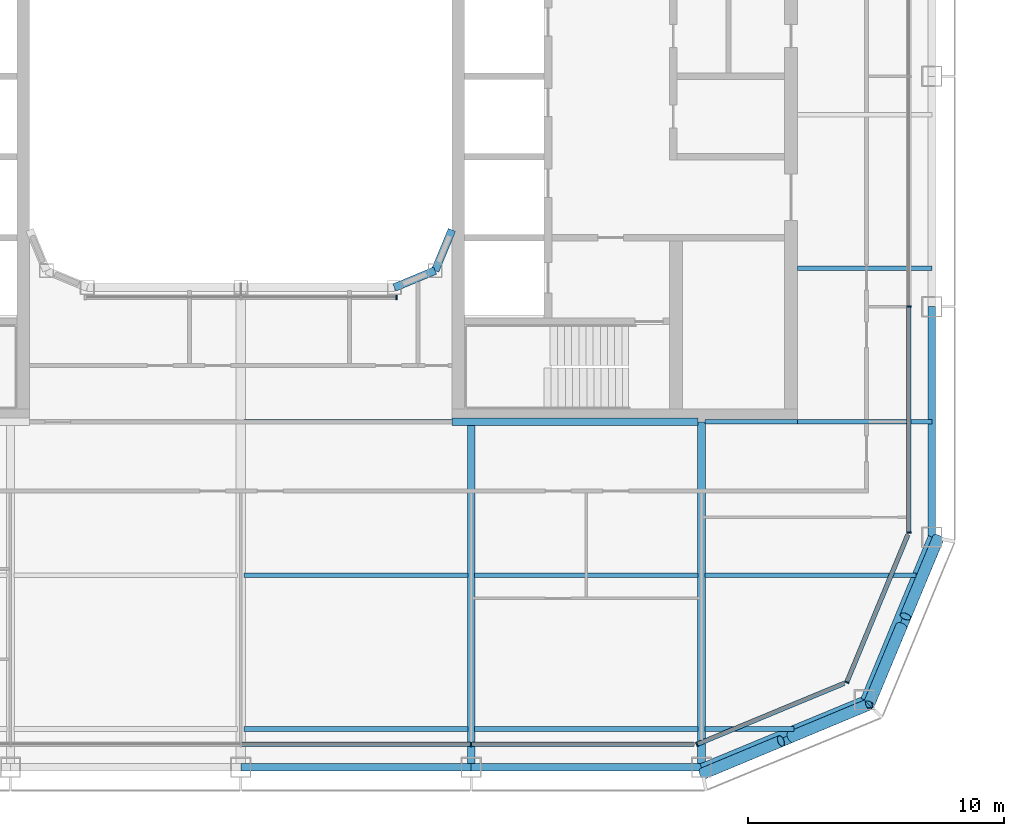
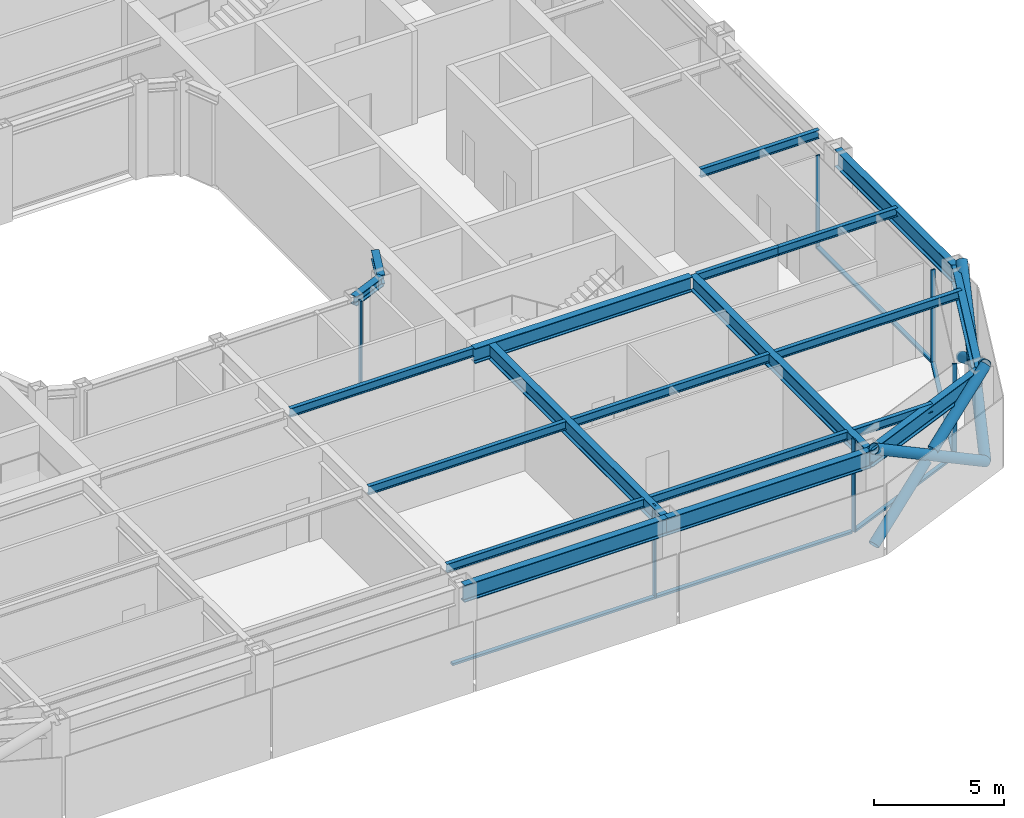
# One storey, part 4 of 23: 20 beams, 17 members, 5 elements without a shape of their own.
"""IFC4 building model written with IfcOpenShell, lengths in metres."""

from ifc_helpers import new_model, si_unit, direction, frame, origin, origin_2d, place, context, subcontext, project, spatial, rectangle, hollow_circle, i_section, extrude, material, layer, layer_set, material_profile, profile_set, type_object, element, aggregate, save


model = new_model("IFC4")

# Units and contexts
model_context = context("Model", 3, precision=1e-05, world=origin(), true_north=direction((0.0, 1.0)))
body_context = subcontext(model_context, "Body", "Model", "MODEL_VIEW")
ifc_project = project(units=[si_unit("LENGTHUNIT", "METRE"), si_unit("AREAUNIT", "SQUARE_METRE"), si_unit("VOLUMEUNIT", "CUBIC_METRE"), si_unit("PLANEANGLEUNIT", "RADIAN"), si_unit("MASSUNIT", "GRAM", prefix="KILO")], contexts=[model_context])

# Site, building, storey
site_placement = place(None, origin())
site = spatial("IfcSite", under=ifc_project, at=site_placement, CompositionType="ELEMENT")
building_placement = place(site_placement, origin())
building = spatial("IfcBuilding", under=site, at=building_placement, Name="Siwar Civic Tower", CompositionType="ELEMENT")
storey_placement = place(building_placement, frame((0.0, 0.0, 260.199951171875)))
storey = spatial("IfcBuildingStorey", under=building, at=storey_placement, Name="L56", CompositionType="ELEMENT", Elevation=260.199951171875)

# Curtain wall, member
ifc_material_1 = material(Name="Aluminium and glass", Category="aluminium")
ifc_layer_1 = layer(ifc_material_1, 0.179931640625)
ifc_layer_set_1 = layer_set([ifc_layer_1], Name="Aluminium and glass")
curtain_wall_type_1 = type_object("IfcCurtainWallType", Name="ENV-CW-C", PredefinedType="NOTDEFINED", material=ifc_layer_set_1)
curtain_wall_1_placement = place(storey_placement, origin())
curtain_wall_1 = element("IfcCurtainWall", 1, at=curtain_wall_1_placement, inside=storey, type_object=curtain_wall_type_1, Name="Curtain wall C S", PredefinedType="NOTDEFINED")
ifc_material_2 = material(Name="Aluminium 6063-T6", Category="aluminium")
ifc_material_profile_1 = material_profile(ifc_material_2, rectangle(XDim=0.179931640625, YDim=0.06005859375, at=origin_2d()), Name="AL 180x60")
ifc_profile_set_1 = profile_set([ifc_material_profile_1], Name="Aluminium 6063-T6")
member_type_1 = type_object("IfcMemberType", Name="ENV-MULLION-C", PredefinedType="MULLION", material=ifc_profile_set_1)
member_1_placement = place(storey_placement, frame((9.0, -26.10009765625, 0.0), z_axis=(0.0, 0.0, 1.0), x_axis=(0.0, 1.0, 0.0)))
member_1 = element("IfcMember", 2, at=member_1_placement, type_object=member_type_1, Name="Mullion C S 4", PredefinedType="MULLION", context=body_context, shape_type="SweptSolid", body=[
    extrude(rectangle(XDim=0.179931640625, YDim=0.06005859375, at=origin_2d()), origin(), (0.0, 0.0, 1.0), 4.35009765625),
])

ifc_material_3 = material(Name="Aluminium clad insulated panel", Category="aluminium")
ifc_layer_2 = layer(ifc_material_3, 0.179931640625)
ifc_layer_set_2 = layer_set([ifc_layer_2], Name="Aluminium clad insulated panel")
curtain_wall_type_2 = type_object("IfcCurtainWallType", Name="ENV-CW-CX", PredefinedType="NOTDEFINED", material=ifc_layer_set_2)
curtain_wall_2_placement = place(storey_placement, origin())
curtain_wall_2 = element("IfcCurtainWall", 3, at=curtain_wall_2_placement, inside=storey, type_object=curtain_wall_type_2, Name="Curtain wall C SE1", PredefinedType="NOTDEFINED")
member_2_placement = place(storey_placement, frame((17.821044921875, -26.10009765625, 0.0), z_axis=(0.0, 0.0, 1.0), x_axis=(-0.382683432365, 0.923879532511, 0.0)))
member_2 = element("IfcMember", 4, at=member_2_placement, type_object=member_type_1, Name="Mullion C SE1 1", PredefinedType="MULLION", context=body_context, shape_type="SweptSolid", body=[
    extrude(rectangle(XDim=0.179931640625, YDim=0.06005859375, at=origin_2d()), origin(), (0.0, 0.0, 1.0), 4.35009765625),
])

curtain_wall_3_placement = place(storey_placement, origin())
curtain_wall_3 = element("IfcCurtainWall", 5, at=curtain_wall_3_placement, inside=storey, type_object=curtain_wall_type_2, Name="Curtain wall C SE2", PredefinedType="NOTDEFINED")
member_3_placement = place(storey_placement, frame((23.675048828125, -23.675048828125, 0.0), z_axis=(0.0, 0.0, 1.0), x_axis=(-0.923879532511, 0.382683432365, 0.0)))
member_3 = element("IfcMember", 6, at=member_3_placement, type_object=member_type_1, Name="Mullion C SE2 1", PredefinedType="MULLION", context=body_context, shape_type="SweptSolid", body=[
    extrude(rectangle(XDim=0.179931640625, YDim=0.06005859375, at=origin_2d()), origin(), (0.0, 0.0, 1.0), 4.35009765625),
])

# Curtain wall, members
curtain_wall_4_placement = place(storey_placement, origin())
curtain_wall_4 = element("IfcCurtainWall", 7, at=curtain_wall_4_placement, inside=storey, type_object=curtain_wall_type_1, Name="Curtain wall C E", PredefinedType="NOTDEFINED")
member_4_placement = place(storey_placement, frame((26.10009765625, -17.821044921875, 0.0), z_axis=(0.0, 0.0, 1.0), x_axis=(-1.0, 0.0, 0.0)))
member_4 = element("IfcMember", 8, at=member_4_placement, type_object=member_type_1, Name="Mullion C E 1", PredefinedType="MULLION", context=body_context, shape_type="SweptSolid", body=[
    extrude(rectangle(XDim=0.179931640625, YDim=0.06005859375, at=origin_2d()), origin(), (0.0, 0.0, 1.0), 4.35009765625),
])
member_5_placement = place(storey_placement, frame((26.10009765625, -9.0, 0.0), z_axis=(0.0, 0.0, 1.0), x_axis=(-1.0, 0.0, 0.0)))
member_5 = element("IfcMember", 9, at=member_5_placement, type_object=member_type_1, Name="Mullion C E 2", PredefinedType="MULLION", context=body_context, shape_type="SweptSolid", body=[
    extrude(rectangle(XDim=0.179931640625, YDim=0.06005859375, at=origin_2d()), origin(), (0.0, 0.0, 1.0), 4.35009765625),
])

# Curtain wall, member
ifc_material_4 = material(Name="Aluminium and glass", Category="aluminium")
ifc_layer_3 = layer(ifc_material_4, 0.179931640625)
ifc_layer_set_3 = layer_set([ifc_layer_3], Name="Aluminium and glass")
curtain_wall_type_3 = type_object("IfcCurtainWallType", Name="ENV-CW-W", PredefinedType="NOTDEFINED", material=ifc_layer_set_3)
curtain_wall_5_placement = place(storey_placement, origin())
curtain_wall_5 = element("IfcCurtainWall", 10, at=curtain_wall_5_placement, inside=storey, type_object=curtain_wall_type_3, Name="Curtain wall W WS", PredefinedType="NOTDEFINED")
ifc_material_5 = material(Name="Aluminium 6063-T6", Category="aluminium")
ifc_material_profile_2 = material_profile(ifc_material_5, rectangle(XDim=0.179931640625, YDim=0.06005859375, at=origin_2d()), Name="AL 180x60")
ifc_profile_set_2 = profile_set([ifc_material_profile_2], Name="Aluminium 6063-T6")
member_type_2 = type_object("IfcMemberType", Name="ENV-MULLION-W", PredefinedType="MULLION", material=ifc_profile_set_2)
member_6_placement = place(storey_placement, frame((6.07666015625, -8.635009765625, 0.0), z_axis=(0.0, 0.0, 1.0), x_axis=(0.0, 1.0, 0.0)))
member_6 = element("IfcMember", 11, at=member_6_placement, type_object=member_type_2, Name="Mullion W WS 3", PredefinedType="MULLION", context=body_context, shape_type="SweptSolid", body=[
    extrude(rectangle(XDim=0.179931640625, YDim=0.06005859375, at=origin_2d()), origin(), (0.0, 0.0, 1.0), 4.35009765625),
])
aggregate(curtain_wall_5, [member_6])

# Member
ifc_material_6 = material(Name="Aluminium 6063-T6", Category="aluminium")
ifc_material_profile_3 = material_profile(ifc_material_6, rectangle(XDim=0.179931640625, YDim=0.10009765625, at=origin_2d()), Name="AL 180x100")
ifc_profile_set_3 = profile_set([ifc_material_profile_3], Name="Aluminium 6063-T6")
member_type_3 = type_object("IfcMemberType", Name="ENV-TRANSOM-C", PredefinedType="USERDEFINED", material=ifc_profile_set_3)
member_7_placement = place(storey_placement, frame((0.030029296875, -26.10009765625, 0.050048828125), z_axis=(1.0, 0.0, 0.0), x_axis=(0.0, 1.0, 0.0)))
member_7 = element("IfcMember", 12, at=member_7_placement, type_object=member_type_3, Name="Transom C S 3", ObjectType="TRANSOM", PredefinedType="USERDEFINED", context=body_context, shape_type="SweptSolid", body=[
    extrude(rectangle(XDim=0.179931640625, YDim=0.10009765625, at=origin_2d()), origin(), (0.0, 0.0, 1.0), 8.93994140625),
])

member_8_placement = place(storey_placement, frame((9.030029296875, -26.10009765625, 0.050048828125), z_axis=(1.0, 0.0, 0.0), x_axis=(0.0, 1.0, 0.0)))
member_8 = element("IfcMember", 13, at=member_8_placement, type_object=member_type_3, Name="Transom C S 4", ObjectType="TRANSOM", PredefinedType="USERDEFINED", context=body_context, shape_type="SweptSolid", body=[
    extrude(rectangle(XDim=0.179931640625, YDim=0.10009765625, at=origin_2d()), origin(), (0.0, 0.0, 1.0), 8.68603515625),
])

aggregate(curtain_wall_1, [member_1, member_7, member_8])

member_9_placement = place(storey_placement, frame((17.8486328125, -26.088623046875, 0.050048828125), z_axis=(0.923882011223, 0.38267744817, 0.0), x_axis=(-0.38267744817, 0.923882011223, 0.0)))
member_9 = element("IfcMember", 14, at=member_9_placement, type_object=member_type_3, Name="Transom C SE1 1", ObjectType="TRANSOM", PredefinedType="USERDEFINED", context=body_context, shape_type="SweptSolid", body=[
    extrude(rectangle(XDim=0.179931640625, YDim=0.10009765625, at=origin_2d()), origin(), (0.0, 0.0, 1.0), 6.201904296875),
])

aggregate(curtain_wall_2, [member_2, member_9])

member_10_placement = place(storey_placement, frame((23.6865234375, -23.6474609375, 0.050048828125), z_axis=(0.382691366456, 0.923876246063, 0.0), x_axis=(-0.923876246063, 0.382691366456, 0.0)))
member_10 = element("IfcMember", 15, at=member_10_placement, type_object=member_type_3, Name="Transom C SE2 1", ObjectType="TRANSOM", PredefinedType="USERDEFINED", context=body_context, shape_type="SweptSolid", body=[
    extrude(rectangle(XDim=0.179931640625, YDim=0.10009765625, at=origin_2d()), origin(), (0.0, 0.0, 1.0), 6.20166015625),
])

aggregate(curtain_wall_3, [member_3, member_10])

member_11_placement = place(storey_placement, frame((26.10009765625, -17.791015625, 0.050048828125), z_axis=(0.0, 1.0, 0.0), x_axis=(-1.0, 0.0, 0.0)))
member_11 = element("IfcMember", 16, at=member_11_placement, type_object=member_type_3, Name="Transom C E 1", ObjectType="TRANSOM", PredefinedType="USERDEFINED", context=body_context, shape_type="SweptSolid", body=[
    extrude(rectangle(XDim=0.179931640625, YDim=0.10009765625, at=origin_2d()), origin(), (0.0, 0.0, 1.0), 8.760986328125),
])

aggregate(curtain_wall_4, [member_4, member_5, member_11])

# Members
ifc_material_7 = material(Name="Steel S355", Category="steel")
ifc_material_profile_4 = material_profile(ifc_material_7, hollow_circle(Radius=0.228515625, WallThickness=0.02001953125, at=origin_2d()), Name="CHS457x20")
ifc_profile_set_4 = profile_set([ifc_material_profile_4], Name="Steel S355")
member_type_4 = type_object("IfcMemberType", Name="STR-BR-CHS457x20", PredefinedType="BRACE", material=ifc_profile_set_4)
member_12_placement = place(storey_placement, frame((24.540771484375, -24.540771484375, 0.0), z_axis=(0.323905527954, 0.777554562952, 0.538975055633), x_axis=(-0.923108759191, 0.384538969033, 0.0)))
element("IfcMember", 17, at=member_12_placement, inside=storey, type_object=member_type_4, Name="L56/brc/CSE1-16-0-1", PredefinedType="BRACE", context=body_context, shape_type="SweptSolid", body=[
    extrude(hollow_circle(Radius=0.228515625, WallThickness=0.02001953125, at=origin_2d()), origin(), (0.0, 0.0, 1.0), 8.34912109375),
])
for number, where, z_axis, x_axis, name in (
    (18, (27.2451171875, -18.048828125, 0.0), (-0.323884455881, -0.777546448489, 0.538999424564), (0.92311621485, -0.38452107079, 0.0), "L56/brc/CSE1-16-0-2"),
    (19, (25.81298828125, -21.486572265625, 2.383056640625), (-0.323895306243, -0.777572496853, 0.538955325357), (0.92311621485, -0.38452107079, 0.0), "L56/brc/CSE1-16-0-3"),
):
    element("IfcMember", number, at=place(storey_placement, frame(where, z_axis=z_axis, x_axis=x_axis)), inside=storey, type_object=member_type_4, Name=name, PredefinedType="BRACE", context=body_context, shape_type="SweptSolid", body=[
        extrude(hollow_circle(Radius=0.228515625, WallThickness=0.02001953125, at=origin_2d()), origin(), (0.0, 0.0, 1.0), 3.927978515625),
    ])
member_13_placement = place(storey_placement, frame((24.540771484375, -24.540771484375, 0.0), z_axis=(-0.777554562952, -0.323905527954, 0.538975055633), x_axis=(0.384538969033, -0.923108759191, 0.0)))
element("IfcMember", 20, at=member_13_placement, inside=storey, type_object=member_type_4, Name="L56/brc/CSE1-16-0-0", PredefinedType="BRACE", context=body_context, shape_type="SweptSolid", body=[
    extrude(hollow_circle(Radius=0.228515625, WallThickness=0.02001953125, at=origin_2d()), origin(), (0.0, 0.0, 1.0), 8.34912109375),
])
for number, where, z_axis, x_axis, name in (
    (21, (18.048828125, -27.2451171875, 0.0), (0.777546448489, 0.323884455881, 0.538999424564), (-0.38452107079, 0.92311621485, 0.0), "L56/brc/CSE1-16-0-4"),
    (22, (21.486572265625, -25.81298828125, 2.383056640625), (0.777572496853, 0.323895306243, 0.538955325357), (-0.38452107079, 0.92311621485, 0.0), "L56/brc/CSE1-16-0-5"),
):
    element("IfcMember", number, at=place(storey_placement, frame(where, z_axis=z_axis, x_axis=x_axis)), inside=storey, type_object=member_type_4, Name=name, PredefinedType="BRACE", context=body_context, shape_type="SweptSolid", body=[
        extrude(hollow_circle(Radius=0.228515625, WallThickness=0.02001953125, at=origin_2d()), origin(), (0.0, 0.0, 1.0), 3.927978515625),
    ])

# Beams
ifc_material_8 = material(Name="Steel S355", Category="steel")
ifc_material_profile_5 = material_profile(ifc_material_8, i_section(OverallWidth=0.179931640625, OverallDepth=0.39990234375, WebThickness=0.008544921875, FlangeThickness=0.013427734375, FilletRadius=0.02099609375, at=origin_2d()), Name="IPE400")
ifc_profile_set_5 = profile_set([ifc_material_profile_5], Name="Steel S355")
beam_type_1 = type_object("IfcBeamType", Name="STR-FB-IPE400", PredefinedType="JOIST", material=ifc_profile_set_5)
for number, where, z_axis, x_axis, name in (
    (23, (0.1298828125, -25.5, 4.150146484375), (1.0, 0.0, 0.0), (0.0, 1.0, 0.0), "L56/bm/F004"),
    (24, (9.1298828125, -25.5, 4.150146484375), (1.0, 0.0, 0.0), (0.0, 1.0, 0.0), "L56/bm/F005"),
):
    element("IfcBeam", number, at=place(storey_placement, frame(where, z_axis=z_axis, x_axis=x_axis)), inside=storey, type_object=beam_type_1, Name=name, PredefinedType="JOIST", context=body_context, shape_type="SweptSolid", body=[
        extrude(i_section(OverallWidth=0.179931640625, OverallDepth=0.39990234375, WebThickness=0.008544921875, FlangeThickness=0.013427734375, FilletRadius=0.02099609375, at=origin_2d()), origin(), (0.0, 0.0, 1.0), 8.740234375),
    ])
beam_1_placement = place(storey_placement, frame((18.1298828125, -25.5, 4.150146484375), z_axis=(1.0, 0.0, 0.0), x_axis=(0.0, 1.0, 0.0)))
element("IfcBeam", 25, at=beam_1_placement, inside=storey, type_object=beam_type_1, Name="L56/bm/F006", PredefinedType="JOIST", context=body_context, shape_type="SweptSolid", body=[
    extrude(i_section(OverallWidth=0.179931640625, OverallDepth=0.39990234375, WebThickness=0.008544921875, FlangeThickness=0.013427734375, FilletRadius=0.02099609375, at=origin_2d()), origin(), (0.0, 0.0, 1.0), 3.491455078125),
])
for number, where, z_axis, x_axis, name in (
    (26, (0.1298828125, -19.5, 4.150146484375), (1.0, 0.0, 0.0), (0.0, 1.0, 0.0), "L56/bm/F010"),
    (27, (9.1298828125, -19.5, 4.150146484375), (1.0, 0.0, 0.0), (0.0, 1.0, 0.0), "L56/bm/F011"),
):
    element("IfcBeam", number, at=place(storey_placement, frame(where, z_axis=z_axis, x_axis=x_axis)), inside=storey, type_object=beam_type_1, Name=name, PredefinedType="JOIST", context=body_context, shape_type="SweptSolid", body=[
        extrude(i_section(OverallWidth=0.179931640625, OverallDepth=0.39990234375, WebThickness=0.008544921875, FlangeThickness=0.013427734375, FilletRadius=0.02099609375, at=origin_2d()), origin(), (0.0, 0.0, 1.0), 8.740234375),
    ])
beam_2_placement = place(storey_placement, frame((18.1298828125, -19.5, 4.150146484375), z_axis=(1.0, 0.0, 0.0), x_axis=(0.0, 1.0, 0.0)))
element("IfcBeam", 28, at=beam_2_placement, inside=storey, type_object=beam_type_1, Name="L56/bm/F012", PredefinedType="JOIST", context=body_context, shape_type="SweptSolid", body=[
    extrude(i_section(OverallWidth=0.179931640625, OverallDepth=0.39990234375, WebThickness=0.008544921875, FlangeThickness=0.013427734375, FilletRadius=0.02099609375, at=origin_2d()), origin(), (0.0, 0.0, 1.0), 8.248779296875),
])
beam_3_placement = place(storey_placement, frame((0.1298828125, -13.5, 4.150146484375), z_axis=(1.0, 0.0, 0.0), x_axis=(0.0, 1.0, 0.0)))
element("IfcBeam", 29, at=beam_3_placement, inside=storey, type_object=beam_type_1, Name="L56/bm/F017", PredefinedType="JOIST", context=body_context, shape_type="SweptSolid", body=[
    extrude(i_section(OverallWidth=0.179931640625, OverallDepth=0.39990234375, WebThickness=0.008544921875, FlangeThickness=0.013427734375, FilletRadius=0.02099609375, at=origin_2d()), origin(), (0.0, 0.0, 1.0), 8.1201171875),
])
beam_4_placement = place(storey_placement, frame((18.1298828125, -13.5, 4.150146484375), z_axis=(1.0, 0.0, 0.0), x_axis=(0.0, 1.0, 0.0)))
element("IfcBeam", 30, at=beam_4_placement, inside=storey, type_object=beam_type_1, Name="L56/bm/F019", PredefinedType="JOIST", context=body_context, shape_type="SweptSolid", body=[
    extrude(i_section(OverallWidth=0.179931640625, OverallDepth=0.39990234375, WebThickness=0.008544921875, FlangeThickness=0.013427734375, FilletRadius=0.02099609375, at=origin_2d()), origin(), (0.0, 0.0, 1.0), 3.6201171875),
])
for number, where, z_axis, x_axis, name in (
    (31, (21.75, -13.5, 4.150146484375), (1.0, 0.0, 0.0), (0.0, 1.0, 0.0), "L56/bm/F020"),
    (32, (21.75, -7.5, 4.150146484375), (1.0, 0.0, 0.0), (0.0, 1.0, 0.0), "L56/bm/F022"),
):
    element("IfcBeam", number, at=place(storey_placement, frame(where, z_axis=z_axis, x_axis=x_axis)), inside=storey, type_object=beam_type_1, Name=name, PredefinedType="JOIST", context=body_context, shape_type="SweptSolid", body=[
        extrude(i_section(OverallWidth=0.179931640625, OverallDepth=0.39990234375, WebThickness=0.008544921875, FlangeThickness=0.013427734375, FilletRadius=0.02099609375, at=origin_2d()), origin(), (0.0, 0.0, 1.0), 5.25),
    ])
ifc_material_9 = material(Name="Steel S355", Category="steel")
ifc_material_profile_6 = material_profile(ifc_material_9, i_section(OverallWidth=0.300048828125, OverallDepth=0.699951171875, WebThickness=0.01708984375, FlangeThickness=0.031982421875, FilletRadius=0.027099609375, at=origin_2d()), Name="HEB700")
ifc_profile_set_6 = profile_set([ifc_material_profile_6], Name="Steel S355")
beam_type_2 = type_object("IfcBeamType", Name="STR-PG-HEB700", PredefinedType="BEAM", material=ifc_profile_set_6)
for number, where, z_axis, x_axis, name in (
    (33, (9.0, -27.0, 4.0), (0.0, 1.0, 0.0), (-1.0, 0.0, 0.0), "L56/bm/G07"),
    (34, (18.0, -27.0, 4.0), (0.0, 1.0, 0.0), (-1.0, 0.0, 0.0), "L56/bm/G09"),
):
    element("IfcBeam", number, at=place(storey_placement, frame(where, z_axis=z_axis, x_axis=x_axis)), inside=storey, type_object=beam_type_2, Name=name, PredefinedType="BEAM", context=body_context, shape_type="SweptSolid", body=[
        extrude(i_section(OverallWidth=0.300048828125, OverallDepth=0.699951171875, WebThickness=0.01708984375, FlangeThickness=0.031982421875, FilletRadius=0.027099609375, at=origin_2d()), origin(), (0.0, 0.0, 1.0), 13.5),
    ])
beam_5_placement = place(storey_placement, frame((8.25, -13.5, 4.0), z_axis=(1.0, 0.0, 0.0), x_axis=(0.0, 1.0, 0.0)))
element("IfcBeam", 35, at=beam_5_placement, inside=storey, type_object=beam_type_2, Name="L56/bm/F018", PredefinedType="BEAM", context=body_context, shape_type="SweptSolid", body=[
    extrude(i_section(OverallWidth=0.300048828125, OverallDepth=0.699951171875, WebThickness=0.01708984375, FlangeThickness=0.031982421875, FilletRadius=0.027099609375, at=origin_2d()), origin(), (0.0, 0.0, 1.0), 9.6201171875),
])
ifc_material_10 = material(Name="Steel S355", Category="steel")
ifc_material_profile_7 = material_profile(ifc_material_10, i_section(OverallWidth=0.306884765625, OverallDepth=0.431884765625, WebThickness=0.02099609375, FlangeThickness=0.0400390625, FilletRadius=0.027099609375, at=origin_2d()), Name="HEM400")
ifc_profile_set_7 = profile_set([ifc_material_profile_7], Name="Steel S355")
beam_type_3 = type_object("IfcBeamType", Name="STR-RB-HEM400", PredefinedType="BEAM", material=ifc_profile_set_7)
for number, where, z_axis, x_axis, name in (
    (36, (6.0, -8.25, 4.134033203125), (0.923901072997, 0.382631424892, 0.0), (-0.382631424892, 0.923901072997, 0.0), "L56/bm/RS3"),
    (37, (7.591064453125, -7.591064453125, 4.134033203125), (0.382631424892, 0.923901072997, 0.0), (-0.923901072997, 0.382631424892, 0.0), "L56/bm/RSEE"),
):
    element("IfcBeam", number, at=place(storey_placement, frame(where, z_axis=z_axis, x_axis=x_axis)), inside=storey, type_object=beam_type_3, Name=name, PredefinedType="BEAM", context=body_context, shape_type="SweptSolid", body=[
        extrude(i_section(OverallWidth=0.306884765625, OverallDepth=0.431884765625, WebThickness=0.02099609375, FlangeThickness=0.0400390625, FilletRadius=0.027099609375, at=origin_2d()), origin(), (0.0, 0.0, 1.0), 1.72216796875),
    ])
ifc_material_11 = material(Name="Steel S355", Category="steel")
ifc_material_profile_8 = material_profile(ifc_material_11, i_section(OverallWidth=0.300048828125, OverallDepth=0.800048828125, WebThickness=0.017578125, FlangeThickness=0.032958984375, FilletRadius=0.030029296875, at=origin_2d()), Name="HEB800")
ifc_profile_set_8 = profile_set([ifc_material_profile_8], Name="Steel S355")
beam_type_4 = type_object("IfcBeamType", Name="STR-SB-HEB800", PredefinedType="BEAM", material=ifc_profile_set_8)
for number, where, z_axis, x_axis, name in (
    (38, (0.0, -27.0, 3.949951171875), (1.0, 0.0, 0.0), (0.0, 1.0, 0.0), "L56/bm/SS-2"),
    (39, (9.0, -27.0, 3.949951171875), (1.0, 0.0, 0.0), (0.0, 1.0, 0.0), "L56/bm/SS-3"),
):
    element("IfcBeam", number, at=place(storey_placement, frame(where, z_axis=z_axis, x_axis=x_axis)), inside=storey, type_object=beam_type_4, Name=name, PredefinedType="BEAM", context=body_context, shape_type="SweptSolid", body=[
        extrude(i_section(OverallWidth=0.300048828125, OverallDepth=0.800048828125, WebThickness=0.017578125, FlangeThickness=0.032958984375, FilletRadius=0.030029296875, at=origin_2d()), origin(), (0.0, 0.0, 1.0), 9.0),
    ])
for number, where, z_axis, x_axis, name in (
    (40, (18.0, -27.0, 3.949951171875), (0.923883353507, 0.382674207535, 0.0), (-0.382674207535, 0.923883353507, 0.0), "L56/bm/SSE1-0"),
    (41, (24.364013671875, -24.364013671875, 3.949951171875), (0.382674207535, 0.923883353507, 0.0), (-0.923883353507, 0.382674207535, 0.0), "L56/bm/SSE2-0"),
):
    element("IfcBeam", number, at=place(storey_placement, frame(where, z_axis=z_axis, x_axis=x_axis)), inside=storey, type_object=beam_type_4, Name=name, PredefinedType="BEAM", context=body_context, shape_type="SweptSolid", body=[
        extrude(i_section(OverallWidth=0.300048828125, OverallDepth=0.800048828125, WebThickness=0.017578125, FlangeThickness=0.032958984375, FilletRadius=0.030029296875, at=origin_2d()), origin(), (0.0, 0.0, 1.0), 6.888427734375),
    ])
beam_6_placement = place(storey_placement, frame((27.0, -18.0, 3.949951171875), z_axis=(0.0, 1.0, 0.0), x_axis=(-1.0, 0.0, 0.0)))
element("IfcBeam", 42, at=beam_6_placement, inside=storey, type_object=beam_type_4, Name="L56/bm/SE-0", PredefinedType="BEAM", context=body_context, shape_type="SweptSolid", body=[
    extrude(i_section(OverallWidth=0.300048828125, OverallDepth=0.800048828125, WebThickness=0.017578125, FlangeThickness=0.032958984375, FilletRadius=0.030029296875, at=origin_2d()), origin(), (0.0, 0.0, 1.0), 9.0),
])

save(model, "model.ifc")
